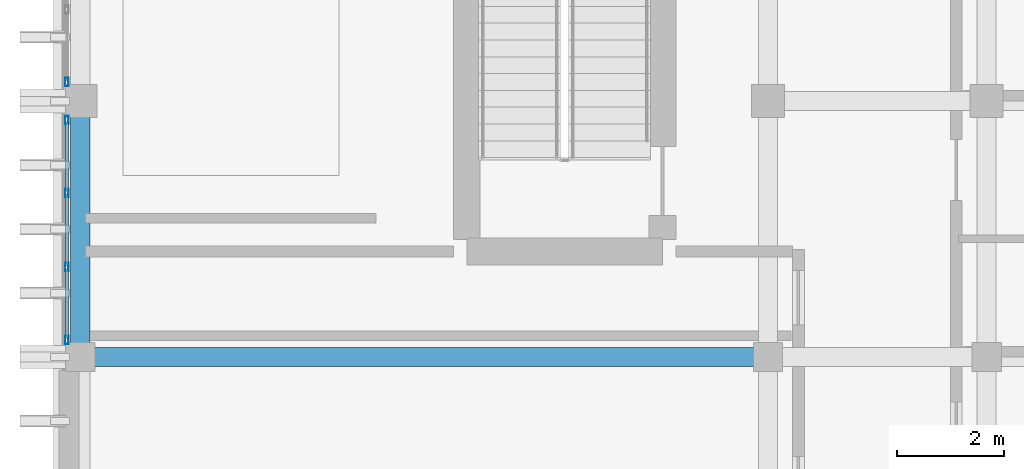
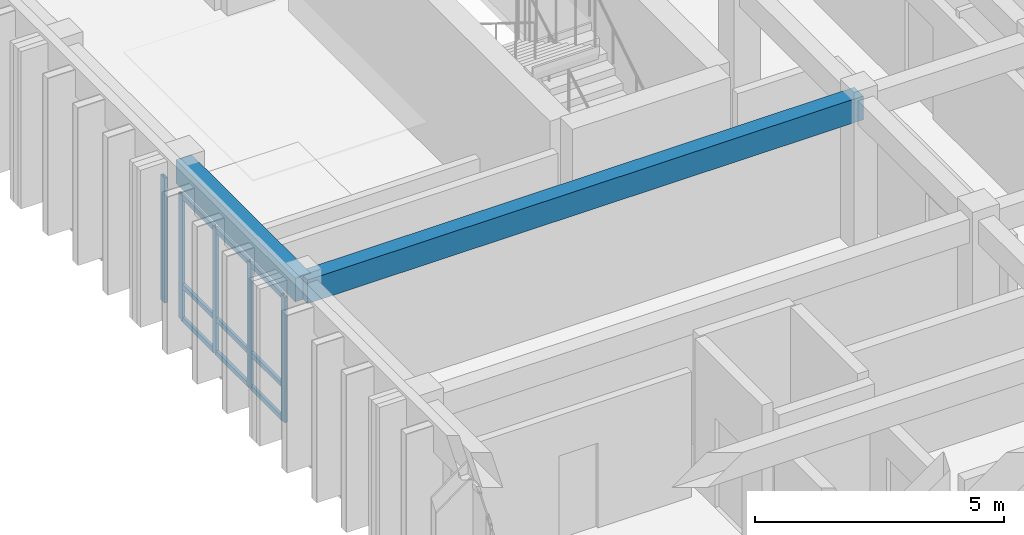
# One storey, part 21 of 50: 14 members, 2 beams, 2 elements without a shape of their own.
"""IFC4 building model written with IfcOpenShell, lengths in metres."""

from ifc_helpers import new_model, si_unit, direction, frame, origin, origin_2d, place, context, subcontext, project, spatial, rectangle, hollow_rectangle, extrude, material, layer, layer_set, material_profile, profile_set, type_object, element, aggregate, save


model = new_model("IFC4")

# Units and contexts
model_context = context("Model", 3, precision=1e-05, world=origin(), true_north=direction((0.0, 1.0)))
body_context = subcontext(model_context, "Body", "Model", "MODEL_VIEW")
ifc_project = project(units=[si_unit("LENGTHUNIT", "METRE"), si_unit("AREAUNIT", "SQUARE_METRE"), si_unit("VOLUMEUNIT", "CUBIC_METRE"), si_unit("PLANEANGLEUNIT", "RADIAN"), si_unit("MASSUNIT", "GRAM", prefix="KILO")], contexts=[model_context])

# Site, building, storey
site_placement = place(None, origin())
site = spatial("IfcSite", under=ifc_project, at=site_placement, CompositionType="ELEMENT")
building_placement = place(site_placement, origin())
building = spatial("IfcBuilding", under=site, at=building_placement, Name="Nakhvara Creek Congress Hotel", CompositionType="ELEMENT")
storey_placement = place(building_placement, frame((0.0, 0.0, 42.60009765625)))
storey = spatial("IfcBuildingStorey", under=building, at=storey_placement, Name="L10", CompositionType="ELEMENT", Elevation=42.60009765625)

# Beams
ifc_material_1 = material(Name="Concrete C40/50", Category="concrete")
ifc_material_profile_1 = material_profile(ifc_material_1, rectangle(XDim=0.360107421875, YDim=0.580078125, at=origin_2d()), Name="RC-BM 360x580", Category="LoadBearing")
ifc_profile_set_1 = profile_set([ifc_material_profile_1], Name="Concrete C40/50")
beam_type = type_object("IfcBeamType", Name="BM-RC-360X580", PredefinedType="BEAM", material=ifc_profile_set_1)
beam_1_placement = place(storey_placement, frame((149.449951171875, 100.800048828125, 3.369873046875), z_axis=(0.0, 1.0, 0.0), x_axis=(-1.0, 0.0, 0.0)))
element("IfcBeam", 1, at=beam_1_placement, inside=storey, type_object=beam_type, Name="Beam B09-L10-2641", PredefinedType="BEAM", context=body_context, shape_type="SweptSolid", body=[
    extrude(rectangle(XDim=0.360107421875, YDim=0.580078125, at=origin_2d()), origin(), (0.0, 0.0, 1.0), 4.800048828125),
])
beam_2_placement = place(storey_placement, frame((149.449951171875, 100.800048828125, 3.369873046875), z_axis=(1.0, 0.0, 0.0), x_axis=(0.0, 1.0, 0.0)))
element("IfcBeam", 2, at=beam_2_placement, inside=storey, type_object=beam_type, Name="Beam B09-L10-2704", PredefinedType="BEAM", context=body_context, shape_type="SweptSolid", body=[
    extrude(rectangle(XDim=0.360107421875, YDim=0.580078125, at=origin_2d()), origin(), (0.0, 0.0, 1.0), 12.900146484375),
])

# Curtain wall, members
ifc_material_2 = material(Name="Bronze-anodised aluminium AW-6063-T6 and double-silver low-E glass", Category="aluminium")
ifc_layer = layer(ifc_material_2, 0.199951171875)
ifc_layer_set = layer_set([ifc_layer], Name="Bronze-anodised aluminium AW-6063-T6 and double-silver low-E glass")
curtain_wall_type = type_object("IfcCurtainWallType", Name="CW-HTL-UNIT", PredefinedType="USERDEFINED", material=ifc_layer_set)
curtain_wall_1_placement = place(storey_placement, origin())
curtain_wall_1 = element("IfcCurtainWall", 3, at=curtain_wall_1_placement, inside=storey, type_object=curtain_wall_type, Name="Curtain Wall CW325", ObjectType="UNITISED", PredefinedType="USERDEFINED")
ifc_material_3 = material(Name="Bronze-anodised aluminium AW-6063-T6", Category="aluminium")
ifc_material_profile_2 = material_profile(ifc_material_3, hollow_rectangle(XDim=0.06494140625, YDim=0.159912109375, WallThickness=0.00390625, at=origin_2d()), Name="ALU-MULL 65x160x4", Category="LoadBearing")
ifc_profile_set_2 = profile_set([ifc_material_profile_2], Name="Bronze-anodised aluminium AW-6063-T6")
member_type_1 = type_object("IfcMemberType", Name="CW-MULL-160", PredefinedType="MULLION", material=ifc_profile_set_2)
member_1_placement = place(storey_placement, frame((149.199951171875, 101.12255859375, 0.0), z_axis=(0.0, 0.0, 1.0), x_axis=(-1.0, 0.0, 0.0)))
member_1 = element("IfcMember", 4, at=member_1_placement, type_object=member_type_1, Name="CW325 mullion 1", PredefinedType="MULLION", context=body_context, shape_type="SweptSolid", body=[
    extrude(hollow_rectangle(XDim=0.06494140625, YDim=0.159912109375, WallThickness=0.00390625, at=origin_2d()), origin(), (0.0, 0.0, 1.0), 3.072021484375),
])
member_2_placement = place(storey_placement, frame((149.199951171875, 102.485107421875, 0.0), z_axis=(0.0, 0.0, 1.0), x_axis=(-1.0, 0.0, 0.0)))
member_2 = element("IfcMember", 5, at=member_2_placement, type_object=member_type_1, Name="CW325 mullion 2", PredefinedType="MULLION", context=body_context, shape_type="SweptSolid", body=[
    extrude(hollow_rectangle(XDim=0.06494140625, YDim=0.159912109375, WallThickness=0.00390625, at=origin_2d()), origin(), (0.0, 0.0, 1.0), 3.072021484375),
])
member_3_placement = place(storey_placement, frame((149.199951171875, 103.8798828125, 0.0), z_axis=(0.0, 0.0, 1.0), x_axis=(-1.0, 0.0, 0.0)))
member_3 = element("IfcMember", 6, at=member_3_placement, type_object=member_type_1, Name="CW325 mullion 3", PredefinedType="MULLION", context=body_context, shape_type="SweptSolid", body=[
    extrude(hollow_rectangle(XDim=0.06494140625, YDim=0.159912109375, WallThickness=0.00390625, at=origin_2d()), origin(), (0.0, 0.0, 1.0), 3.072021484375),
])
member_4_placement = place(storey_placement, frame((149.199951171875, 105.242431640625, 0.0), z_axis=(0.0, 0.0, 1.0), x_axis=(-1.0, 0.0, 0.0)))
member_4 = element("IfcMember", 7, at=member_4_placement, type_object=member_type_1, Name="CW325 mullion 4", PredefinedType="MULLION", context=body_context, shape_type="SweptSolid", body=[
    extrude(hollow_rectangle(XDim=0.06494140625, YDim=0.159912109375, WallThickness=0.00390625, at=origin_2d()), origin(), (0.0, 0.0, 1.0), 3.072021484375),
])

# Curtain wall, member
curtain_wall_2_placement = place(storey_placement, origin())
curtain_wall_2 = element("IfcCurtainWall", 8, at=curtain_wall_2_placement, inside=storey, type_object=curtain_wall_type, Name="Curtain Wall CW327", ObjectType="UNITISED", PredefinedType="USERDEFINED")
member_5_placement = place(storey_placement, frame((149.199951171875, 105.95751953125, 0.0), z_axis=(0.0, 0.0, 1.0), x_axis=(-1.0, 0.0, 0.0)))
member_5 = element("IfcMember", 9, at=member_5_placement, type_object=member_type_1, Name="CW327 mullion 1", PredefinedType="MULLION", context=body_context, shape_type="SweptSolid", body=[
    extrude(hollow_rectangle(XDim=0.06494140625, YDim=0.159912109375, WallThickness=0.00390625, at=origin_2d()), origin(), (0.0, 0.0, 1.0), 3.072021484375),
])
aggregate(curtain_wall_2, [member_5])

# Member
ifc_material_profile_3 = material_profile(ifc_material_3, hollow_rectangle(XDim=0.06494140625, YDim=0.1201171875, WallThickness=0.00390625, at=origin_2d()), Name="ALU-TRAN 65x120x4", Category="LoadBearing")
ifc_profile_set_3 = profile_set([ifc_material_profile_3], Name="Bronze-anodised aluminium AW-6063-T6")
member_type_2 = type_object("IfcMemberType", Name="CW-TRAN-120", PredefinedType="USERDEFINED", material=ifc_profile_set_3)
member_6_placement = place(storey_placement, frame((149.199951171875, 101.155029296875, 0.032470703125), z_axis=(0.0, 1.0, 0.0), x_axis=(-1.0, 0.0, 0.0)))
member_6 = element("IfcMember", 10, at=member_6_placement, type_object=member_type_2, Name="CW325 transom 1.1", ObjectType="TRANSOM", PredefinedType="USERDEFINED", context=body_context, shape_type="SweptSolid", body=[
    extrude(hollow_rectangle(XDim=0.06494140625, YDim=0.1201171875, WallThickness=0.00390625, at=origin_2d()), origin(), (0.0, 0.0, 1.0), 1.29736328125),
])

member_7_placement = place(storey_placement, frame((149.199951171875, 101.155029296875, 0.849853515625), z_axis=(0.0, 1.0, 0.0), x_axis=(-1.0, 0.0, 0.0)))
member_7 = element("IfcMember", 11, at=member_7_placement, type_object=member_type_2, Name="CW325 transom 1.2", ObjectType="TRANSOM", PredefinedType="USERDEFINED", context=body_context, shape_type="SweptSolid", body=[
    extrude(hollow_rectangle(XDim=0.06494140625, YDim=0.1201171875, WallThickness=0.00390625, at=origin_2d()), origin(), (0.0, 0.0, 1.0), 1.29736328125),
])

member_8_placement = place(storey_placement, frame((149.199951171875, 101.155029296875, 3.039306640625), z_axis=(0.0, 1.0, 0.0), x_axis=(-1.0, 0.0, 0.0)))
member_8 = element("IfcMember", 12, at=member_8_placement, type_object=member_type_2, Name="CW325 transom 1.3", ObjectType="TRANSOM", PredefinedType="USERDEFINED", context=body_context, shape_type="SweptSolid", body=[
    extrude(hollow_rectangle(XDim=0.06494140625, YDim=0.1201171875, WallThickness=0.00390625, at=origin_2d()), origin(), (0.0, 0.0, 1.0), 1.29736328125),
])

member_9_placement = place(storey_placement, frame((149.199951171875, 102.517578125, 0.032470703125), z_axis=(0.0, 1.0, 0.0), x_axis=(-1.0, 0.0, 0.0)))
member_9 = element("IfcMember", 13, at=member_9_placement, type_object=member_type_2, Name="CW325 transom 2.1", ObjectType="TRANSOM", PredefinedType="USERDEFINED", context=body_context, shape_type="SweptSolid", body=[
    extrude(hollow_rectangle(XDim=0.06494140625, YDim=0.1201171875, WallThickness=0.00390625, at=origin_2d()), origin(), (0.0, 0.0, 1.0), 1.329833984375),
])

member_10_placement = place(storey_placement, frame((149.199951171875, 102.517578125, 0.849853515625), z_axis=(0.0, 1.0, 0.0), x_axis=(-1.0, 0.0, 0.0)))
member_10 = element("IfcMember", 14, at=member_10_placement, type_object=member_type_2, Name="CW325 transom 2.2", ObjectType="TRANSOM", PredefinedType="USERDEFINED", context=body_context, shape_type="SweptSolid", body=[
    extrude(hollow_rectangle(XDim=0.06494140625, YDim=0.1201171875, WallThickness=0.00390625, at=origin_2d()), origin(), (0.0, 0.0, 1.0), 1.329833984375),
])

member_11_placement = place(storey_placement, frame((149.199951171875, 102.517578125, 3.039306640625), z_axis=(0.0, 1.0, 0.0), x_axis=(-1.0, 0.0, 0.0)))
member_11 = element("IfcMember", 15, at=member_11_placement, type_object=member_type_2, Name="CW325 transom 2.3", ObjectType="TRANSOM", PredefinedType="USERDEFINED", context=body_context, shape_type="SweptSolid", body=[
    extrude(hollow_rectangle(XDim=0.06494140625, YDim=0.1201171875, WallThickness=0.00390625, at=origin_2d()), origin(), (0.0, 0.0, 1.0), 1.329833984375),
])

member_12_placement = place(storey_placement, frame((149.199951171875, 103.91259765625, 0.032470703125), z_axis=(0.0, 1.0, 0.0), x_axis=(-1.0, 0.0, 0.0)))
member_12 = element("IfcMember", 16, at=member_12_placement, type_object=member_type_2, Name="CW325 transom 3.1", ObjectType="TRANSOM", PredefinedType="USERDEFINED", context=body_context, shape_type="SweptSolid", body=[
    extrude(hollow_rectangle(XDim=0.06494140625, YDim=0.1201171875, WallThickness=0.00390625, at=origin_2d()), origin(), (0.0, 0.0, 1.0), 1.29736328125),
])

member_13_placement = place(storey_placement, frame((149.199951171875, 103.91259765625, 0.849853515625), z_axis=(0.0, 1.0, 0.0), x_axis=(-1.0, 0.0, 0.0)))
member_13 = element("IfcMember", 17, at=member_13_placement, type_object=member_type_2, Name="CW325 transom 3.2", ObjectType="TRANSOM", PredefinedType="USERDEFINED", context=body_context, shape_type="SweptSolid", body=[
    extrude(hollow_rectangle(XDim=0.06494140625, YDim=0.1201171875, WallThickness=0.00390625, at=origin_2d()), origin(), (0.0, 0.0, 1.0), 1.29736328125),
])

member_14_placement = place(storey_placement, frame((149.199951171875, 103.91259765625, 3.039306640625), z_axis=(0.0, 1.0, 0.0), x_axis=(-1.0, 0.0, 0.0)))
member_14 = element("IfcMember", 18, at=member_14_placement, type_object=member_type_2, Name="CW325 transom 3.3", ObjectType="TRANSOM", PredefinedType="USERDEFINED", context=body_context, shape_type="SweptSolid", body=[
    extrude(hollow_rectangle(XDim=0.06494140625, YDim=0.1201171875, WallThickness=0.00390625, at=origin_2d()), origin(), (0.0, 0.0, 1.0), 1.29736328125),
])

aggregate(curtain_wall_1, [member_1, member_2, member_3, member_4, member_6, member_7, member_8, member_9, member_10, member_11, member_12, member_13, member_14])

save(model, "model.ifc")
